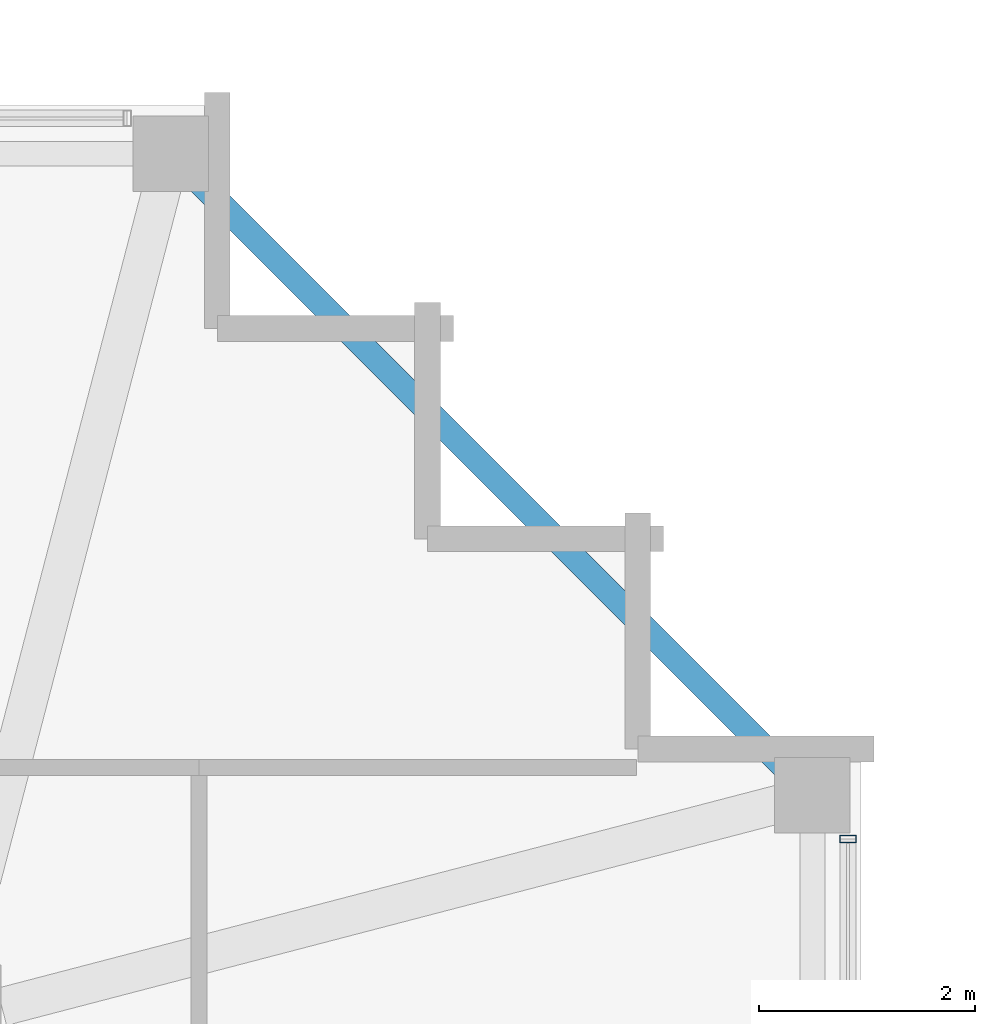
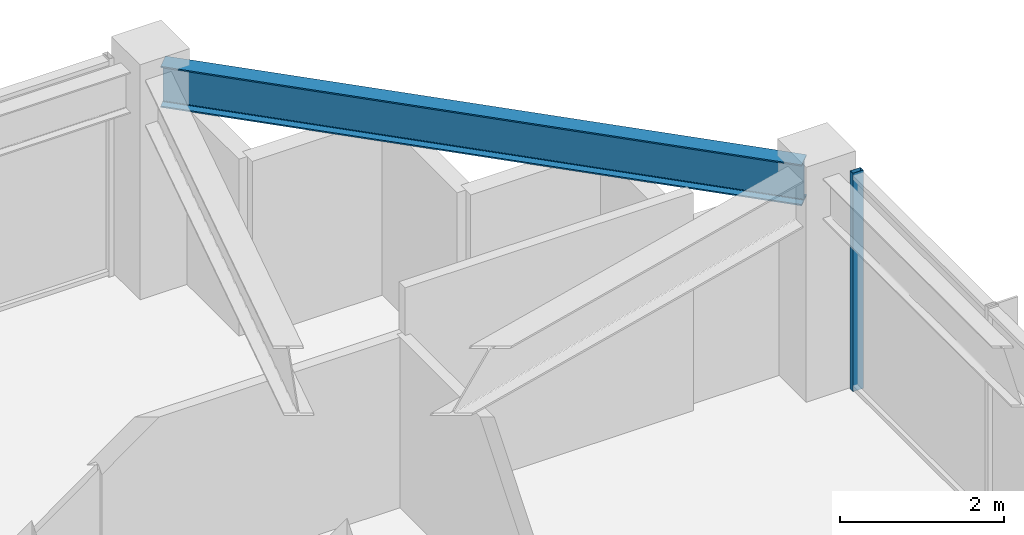
# One storey, part 19 of 31: 1 beam, 1 member, 1 element without a shape of its own.
"""IFC4 building model written with IfcOpenShell, lengths in metres."""

from ifc_helpers import new_model, si_unit, direction, frame, origin, origin_2d, place, context, subcontext, project, spatial, hollow_rectangle, i_section, extrude, material, material_profile, profile_set, type_object, element, aggregate, save


model = new_model("IFC4")

# Units and contexts
model_context = context("Model", 3, precision=1e-05, world=origin(), true_north=direction((0.0, 1.0)))
body_context = subcontext(model_context, "Body", "Model", "MODEL_VIEW")
ifc_project = project(units=[si_unit("LENGTHUNIT", "METRE"), si_unit("AREAUNIT", "SQUARE_METRE"), si_unit("VOLUMEUNIT", "CUBIC_METRE"), si_unit("PLANEANGLEUNIT", "RADIAN"), si_unit("MASSUNIT", "GRAM", prefix="KILO")], contexts=[model_context])

# Site, building, storey
site_placement = place(None, origin())
site = spatial("IfcSite", under=ifc_project, at=site_placement, CompositionType="ELEMENT")
building_placement = place(site_placement, origin())
building = spatial("IfcBuilding", under=site, at=building_placement, Name="Kolvaren Belvedere", CompositionType="ELEMENT")
storey_placement = place(building_placement, frame((0.0, 0.0, 247.89990234375)))
storey = spatial("IfcBuildingStorey", under=building, at=storey_placement, Name="L72", CompositionType="ELEMENT", Elevation=247.89990234375)

# Beam
ifc_material_1 = material(Name="Structural steel ASTM A992 Grade 50", Category="steel")
ifc_material_profile_1 = material_profile(ifc_material_1, i_section(OverallWidth=0.22900390625, OverallDepth=0.612060546875, WebThickness=0.011962890625, FlangeThickness=0.01953125, FilletRadius=0.01806640625, at=origin_2d()), Name="W24X84")
ifc_profile_set_1 = profile_set([ifc_material_profile_1], Name="Structural steel ASTM A992 Grade 50")
beam_type = type_object("IfcBeamType", Name="BM-SPAN-W24X84", PredefinedType="SPANDREL", material=ifc_profile_set_1)
beam_placement = place(storey_placement, frame((17.838623046875, 12.111328125, 2.944091796875), z_axis=(-0.707106781187, 0.707106781187, 0.0), x_axis=(-0.707106781187, -0.707106781187, 0.0)))
element("IfcBeam", 1, at=beam_placement, inside=storey, type_object=beam_type, Name="L72 Perimeter Spandrel E4-N4", PredefinedType="SPANDREL", context=body_context, shape_type="SweptSolid", body=[
    extrude(i_section(OverallWidth=0.22900390625, OverallDepth=0.612060546875, WebThickness=0.011962890625, FlangeThickness=0.01953125, FilletRadius=0.01806640625, at=origin_2d()), origin(), (0.0, 0.0, 1.0), 8.099609375),
])

# Curtain wall, member
ifc_material_2 = material(Name="Anodised pale-metal aluminium AA 6063-T6", Category="aluminium")
curtain_wall_type = type_object("IfcCurtainWallType", Name="CW-Z5-HIGH", PredefinedType="NOTDEFINED", material=ifc_material_2)
curtain_wall_placement = place(storey_placement, origin())
curtain_wall = element("IfcCurtainWall", 2, at=curtain_wall_placement, inside=storey, type_object=curtain_wall_type, Name="L72 Unitised Curtain Wall FCW-L72-E-B1", PredefinedType="NOTDEFINED")
ifc_material_3 = material(Name="Anodised pale-metal aluminium AA 6063-T6", Category="aluminium")
ifc_material_profile_2 = material_profile(ifc_material_3, hollow_rectangle(XDim=0.070068359375, YDim=0.14990234375, WallThickness=0.004150390625, at=origin_2d()), Name="ALU-MUL-150X70")
ifc_profile_set_2 = profile_set([ifc_material_profile_2], Name="Anodised pale-metal aluminium AA 6063-T6")
member_type = type_object("IfcMemberType", Name="CW-MUL-150", PredefinedType="MULLION", material=ifc_profile_set_2)
member_placement = place(storey_placement, frame((18.280029296875, 11.594970703125, 0.0), z_axis=(0.0, 0.0, 1.0), x_axis=(0.0, 1.0, 0.0)))
member = element("IfcMember", 3, at=member_placement, type_object=member_type, Name="FCW-L72-E-B1 Unitised Mullion 1", PredefinedType="MULLION", context=body_context, shape_type="SweptSolid", body=[
    extrude(hollow_rectangle(XDim=0.070068359375, YDim=0.14990234375, WallThickness=0.004150390625, at=origin_2d()), origin(), (0.0, 0.0, 1.0), 3.25),
])
aggregate(curtain_wall, [member])

save(model, "model.ifc")
